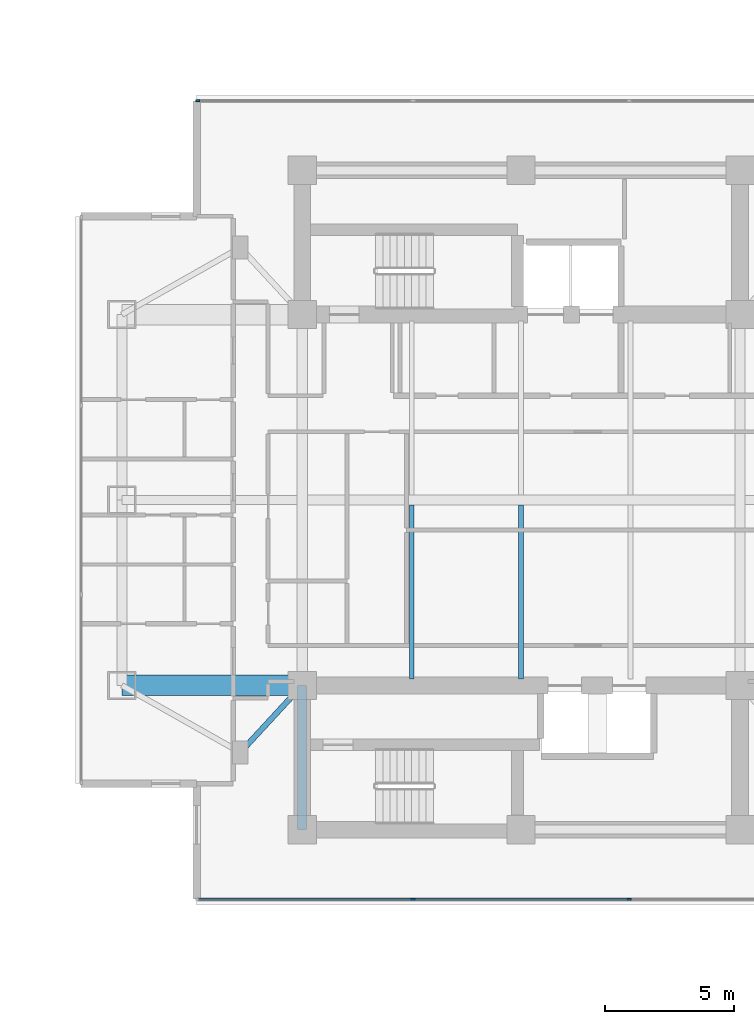
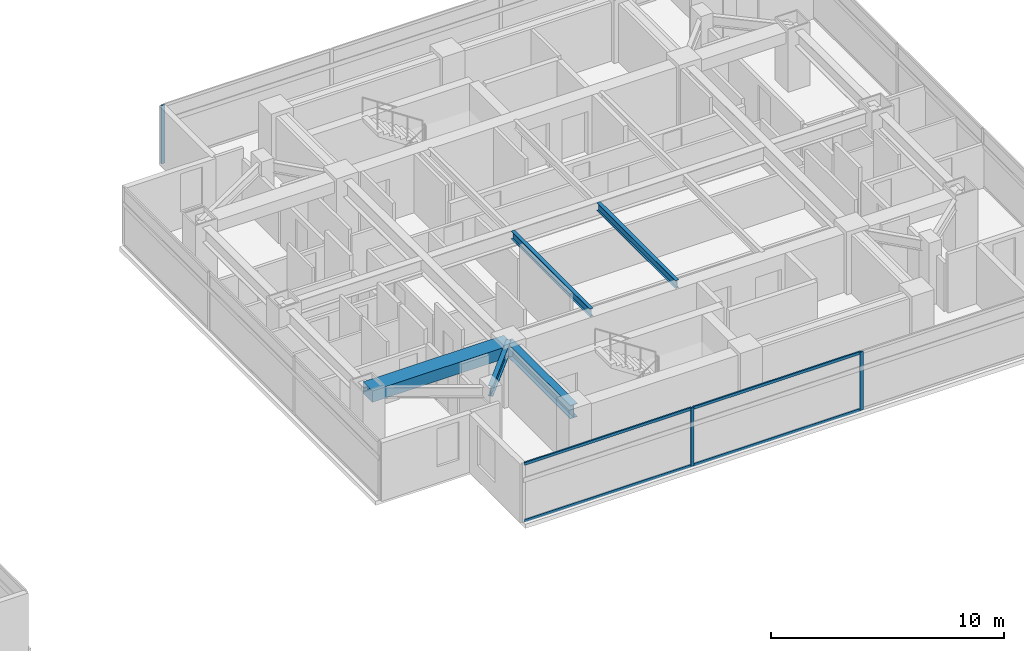
# One storey, part 9 of 26: 7 members, 5 beams, 2 elements without a shape of their own.
"""IFC4 building model written with IfcOpenShell, lengths in metres."""

from ifc_helpers import new_model, si_unit, direction, frame, origin, origin_2d, place, context, subcontext, project, spatial, rectangle, i_section, extrude, material, material_profile, profile_set, type_object, element, aggregate, save


model = new_model("IFC4")

# Units and contexts
model_context = context("Model", 3, precision=1e-05, world=origin(), true_north=direction((0.0, 1.0)))
body_context = subcontext(model_context, "Body", "Model", "MODEL_VIEW")
ifc_project = project(units=[si_unit("LENGTHUNIT", "METRE"), si_unit("AREAUNIT", "SQUARE_METRE"), si_unit("VOLUMEUNIT", "CUBIC_METRE"), si_unit("PLANEANGLEUNIT", "RADIAN"), si_unit("MASSUNIT", "GRAM", prefix="KILO")], contexts=[model_context])

# Site, building, storey
site_placement = place(None, origin())
site = spatial("IfcSite", under=ifc_project, at=site_placement, CompositionType="ELEMENT")
building_placement = place(site_placement, origin())
building = spatial("IfcBuilding", under=site, at=building_placement, Name="Mirazonda Arch Towers", CompositionType="ELEMENT")
storey_placement = place(building_placement, frame((0.0, 0.0, 121.39990234375)))
storey = spatial("IfcBuildingStorey", under=building, at=storey_placement, Name="L34", CompositionType="ELEMENT", Elevation=121.39990234375)

# Beams
ifc_material_1 = material(Name="Steel ASTM A992 Grade 50", Category="steel")
ifc_material_profile_1 = material_profile(ifc_material_1, i_section(OverallWidth=0.180908203125, OverallDepth=0.4169921875, WebThickness=0.010986328125, FlangeThickness=0.018310546875, at=origin_2d()), Name="W16X57")
ifc_profile_set_1 = profile_set([ifc_material_profile_1], Name="Steel ASTM A992 Grade 50")
beam_type_1 = type_object("IfcBeamType", Name="BM-INT-W16X57", PredefinedType="JOIST", material=ifc_profile_set_1)
for number, where, z_axis, x_axis, name in (
    (1, (72.25, 21.0400390625, 2.87158203125), (0.0, 1.0, 0.0), (-1.0, 0.0, 0.0), "L34 Floor Beam BM-T2-L34-J-722-20"),
    (2, (76.5, 21.0400390625, 2.87158203125), (0.0, 1.0, 0.0), (-1.0, 0.0, 0.0), "L34 Floor Beam BM-T2-L34-J-765-20"),
):
    element("IfcBeam", number, at=place(storey_placement, frame(where, z_axis=z_axis, x_axis=x_axis)), inside=storey, type_object=beam_type_1, Name=name, PredefinedType="JOIST", context=body_context, shape_type="SweptSolid", body=[
        extrude(i_section(OverallWidth=0.180908203125, OverallDepth=0.4169921875, WebThickness=0.010986328125, FlangeThickness=0.018310546875, at=origin_2d()), origin(), (0.0, 0.0, 1.0), 6.763916015625),
    ])
ifc_material_profile_2 = material_profile(ifc_material_1, i_section(OverallWidth=0.214111328125, OverallDepth=0.549072265625, WebThickness=0.0146484375, FlangeThickness=0.023681640625, at=origin_2d()), Name="W21X93")
ifc_profile_set_2 = profile_set([ifc_material_profile_2], Name="Steel ASTM A992 Grade 50")
beam_type_2 = type_object("IfcBeamType", Name="BM-INT-W21X93", PredefinedType="BEAM", material=ifc_profile_set_2)
beam_1_placement = place(storey_placement, frame((65.60009765625, 18.199951171875, 2.8056640625), z_axis=(0.678251444854, 0.734829897019, 0.0), x_axis=(-0.734829897019, 0.678251444854, 0.0)))
element("IfcBeam", 3, at=beam_1_placement, inside=storey, type_object=beam_type_2, Name="L34 Floor Beam BM-T2-L34-PL-SW1", PredefinedType="BEAM", context=body_context, shape_type="SweptSolid", body=[
    extrude(i_section(OverallWidth=0.214111328125, OverallDepth=0.549072265625, WebThickness=0.0146484375, FlangeThickness=0.023681640625, at=origin_2d()), origin(), (0.0, 0.0, 1.0), 3.538330078125),
])
ifc_material_profile_3 = material_profile(ifc_material_1, i_section(OverallWidth=0.35498046875, OverallDepth=0.696044921875, WebThickness=0.015380859375, FlangeThickness=0.02490234375, at=origin_2d()), Name="W27X146")
ifc_profile_set_3 = profile_set([ifc_material_profile_3], Name="Steel ASTM A992 Grade 50")
beam_type_3 = type_object("IfcBeamType", Name="BM-INT-W27X146", PredefinedType="BEAM", material=ifc_profile_set_3)
beam_2_placement = place(storey_placement, frame((68.0, 15.199951171875, 2.732177734375), z_axis=(0.0, 1.0, 0.0), x_axis=(-1.0, 0.0, 0.0)))
element("IfcBeam", 4, at=beam_2_placement, inside=storey, type_object=beam_type_3, Name="L34 Floor Beam BM-T2-L34-CSW", PredefinedType="BEAM", context=body_context, shape_type="SweptSolid", body=[
    extrude(i_section(OverallWidth=0.35498046875, OverallDepth=0.696044921875, WebThickness=0.015380859375, FlangeThickness=0.02490234375, at=origin_2d()), origin(), (0.0, 0.0, 1.0), 5.60009765625),
])
ifc_material_2 = material(Name="Concrete C60/75", Category="concrete")
ifc_material_profile_4 = material_profile(ifc_material_2, rectangle(XDim=0.800048828125, YDim=0.60009765625, at=origin_2d()), Name="RCCB800x600")
ifc_profile_set_4 = profile_set([ifc_material_profile_4], Name="Concrete C60/75")
beam_type_4 = type_object("IfcBeamType", Name="CB-INT-RCCB800x600", PredefinedType="SPANDREL", material=ifc_profile_set_4)
beam_3_placement = place(storey_placement, frame((61.0, 20.800048828125, 2.780029296875), z_axis=(1.0, 0.0, 0.0), x_axis=(0.0, 1.0, 0.0)))
element("IfcBeam", 5, at=beam_3_placement, inside=storey, type_object=beam_type_4, Name="L34 Floor Beam CBC-T2-L34-SW", PredefinedType="SPANDREL", context=body_context, shape_type="SweptSolid", body=[
    extrude(rectangle(XDim=0.800048828125, YDim=0.60009765625, at=origin_2d()), origin(), (0.0, 0.0, 1.0), 7.0),
])

# Curtain wall, members
ifc_material_3 = material(Name="Anodised Aluminium and Low-E Glass", Category="aluminium")
curtain_wall_type = type_object("IfcCurtainWallType", Name="CW-HTL-UNIT", PredefinedType="NOTDEFINED", material=ifc_material_3)
curtain_wall_1_placement = place(storey_placement, origin())
curtain_wall_1 = element("IfcCurtainWall", 6, at=curtain_wall_1_placement, inside=storey, type_object=curtain_wall_type, Name="L34 T2 S Facade CW-L34-T2-S", PredefinedType="NOTDEFINED")
ifc_material_4 = material(Name="Anodised Aluminium Alloy", Category="aluminium")
ifc_material_profile_5 = material_profile(ifc_material_4, rectangle(XDim=0.074951171875, YDim=0.1650390625, at=origin_2d()), Name="ALU-MULL-75x165")
ifc_profile_set_5 = profile_set([ifc_material_profile_5], Name="Anodised Aluminium Alloy")
member_type_1 = type_object("IfcMemberType", Name="MULL-CW-HTL-UNIT", PredefinedType="MULLION", material=ifc_profile_set_5)
member_1_placement = place(storey_placement, frame((80.69873046875, 12.497802734375, 0.0), z_axis=(0.0, 0.0, 1.0), x_axis=(0.0, -1.0, 0.0)))
member_1 = element("IfcMember", 7, at=member_1_placement, type_object=member_type_1, Name="CW-112 mullion 2", PredefinedType="MULLION", context=body_context, shape_type="SweptSolid", body=[
    extrude(rectangle(XDim=0.074951171875, YDim=0.1650390625, at=origin_2d()), origin(), (0.0, 0.0, 1.0), 3.06005859375),
])
member_2_placement = place(storey_placement, frame((72.30126953125, 12.497802734375, 0.0), z_axis=(0.0, 0.0, 1.0), x_axis=(0.0, -1.0, 0.0)))
member_2 = element("IfcMember", 8, at=member_2_placement, type_object=member_type_1, Name="CW-112 mullion 3", PredefinedType="MULLION", context=body_context, shape_type="SweptSolid", body=[
    extrude(rectangle(XDim=0.074951171875, YDim=0.1650390625, at=origin_2d()), origin(), (0.0, 0.0, 1.0), 3.06005859375),
])

# Curtain wall, member
curtain_wall_2_placement = place(storey_placement, origin())
curtain_wall_2 = element("IfcCurtainWall", 9, at=curtain_wall_2_placement, inside=storey, type_object=curtain_wall_type, Name="L34 T2 N Facade CW-L34-T2-N", PredefinedType="NOTDEFINED")
member_3_placement = place(storey_placement, frame((63.94091796875, 43.502197265625, 0.0), z_axis=(0.0, 0.0, 1.0), x_axis=(0.0, 1.0, 0.0)))
member_3 = element("IfcMember", 10, at=member_3_placement, type_object=member_type_1, Name="CW-112 mullion 1", PredefinedType="MULLION", context=body_context, shape_type="SweptSolid", body=[
    extrude(rectangle(XDim=0.074951171875, YDim=0.1650390625, at=origin_2d()), origin(), (0.0, 0.0, 1.0), 3.06005859375),
])
aggregate(curtain_wall_2, [member_3])

# Member
ifc_material_profile_6 = material_profile(ifc_material_4, rectangle(XDim=0.074951171875, YDim=0.14501953125, at=origin_2d()), Name="ALU-TRAN-75x145")
ifc_profile_set_6 = profile_set([ifc_material_profile_6], Name="Anodised Aluminium Alloy")
member_type_2 = type_object("IfcMemberType", Name="TRAN-CW-HTL-UNIT", PredefinedType="USERDEFINED", material=ifc_profile_set_6)
member_4_placement = place(storey_placement, frame((80.661376953125, 12.497802734375, 0.03759765625), z_axis=(-1.0, 0.0, 0.0), x_axis=(0.0, -1.0, 0.0)))
member_4 = element("IfcMember", 11, at=member_4_placement, type_object=member_type_2, Name="CW-112 transom 2.1", ObjectType="TRANSOM", PredefinedType="USERDEFINED", context=body_context, shape_type="SweptSolid", body=[
    extrude(rectangle(XDim=0.074951171875, YDim=0.14501953125, at=origin_2d()), origin(), (0.0, 0.0, 1.0), 8.32275390625),
])

member_5_placement = place(storey_placement, frame((80.661376953125, 12.497802734375, 3.022705078125), z_axis=(-1.0, 0.0, 0.0), x_axis=(0.0, -1.0, 0.0)))
member_5 = element("IfcMember", 12, at=member_5_placement, type_object=member_type_2, Name="CW-112 transom 2.2", ObjectType="TRANSOM", PredefinedType="USERDEFINED", context=body_context, shape_type="SweptSolid", body=[
    extrude(rectangle(XDim=0.074951171875, YDim=0.14501953125, at=origin_2d()), origin(), (0.0, 0.0, 1.0), 8.32275390625),
])

member_6_placement = place(storey_placement, frame((72.263671875, 12.497802734375, 0.03759765625), z_axis=(-1.0, 0.0, 0.0), x_axis=(0.0, -1.0, 0.0)))
member_6 = element("IfcMember", 13, at=member_6_placement, type_object=member_type_2, Name="CW-112 transom 3.1", ObjectType="TRANSOM", PredefinedType="USERDEFINED", context=body_context, shape_type="SweptSolid", body=[
    extrude(rectangle(XDim=0.074951171875, YDim=0.14501953125, at=origin_2d()), origin(), (0.0, 0.0, 1.0), 8.28515625),
])

member_7_placement = place(storey_placement, frame((72.263671875, 12.497802734375, 3.022705078125), z_axis=(-1.0, 0.0, 0.0), x_axis=(0.0, -1.0, 0.0)))
member_7 = element("IfcMember", 14, at=member_7_placement, type_object=member_type_2, Name="CW-112 transom 3.2", ObjectType="TRANSOM", PredefinedType="USERDEFINED", context=body_context, shape_type="SweptSolid", body=[
    extrude(rectangle(XDim=0.074951171875, YDim=0.14501953125, at=origin_2d()), origin(), (0.0, 0.0, 1.0), 8.28515625),
])

aggregate(curtain_wall_1, [member_1, member_2, member_4, member_5, member_6, member_7])

save(model, "model.ifc")
